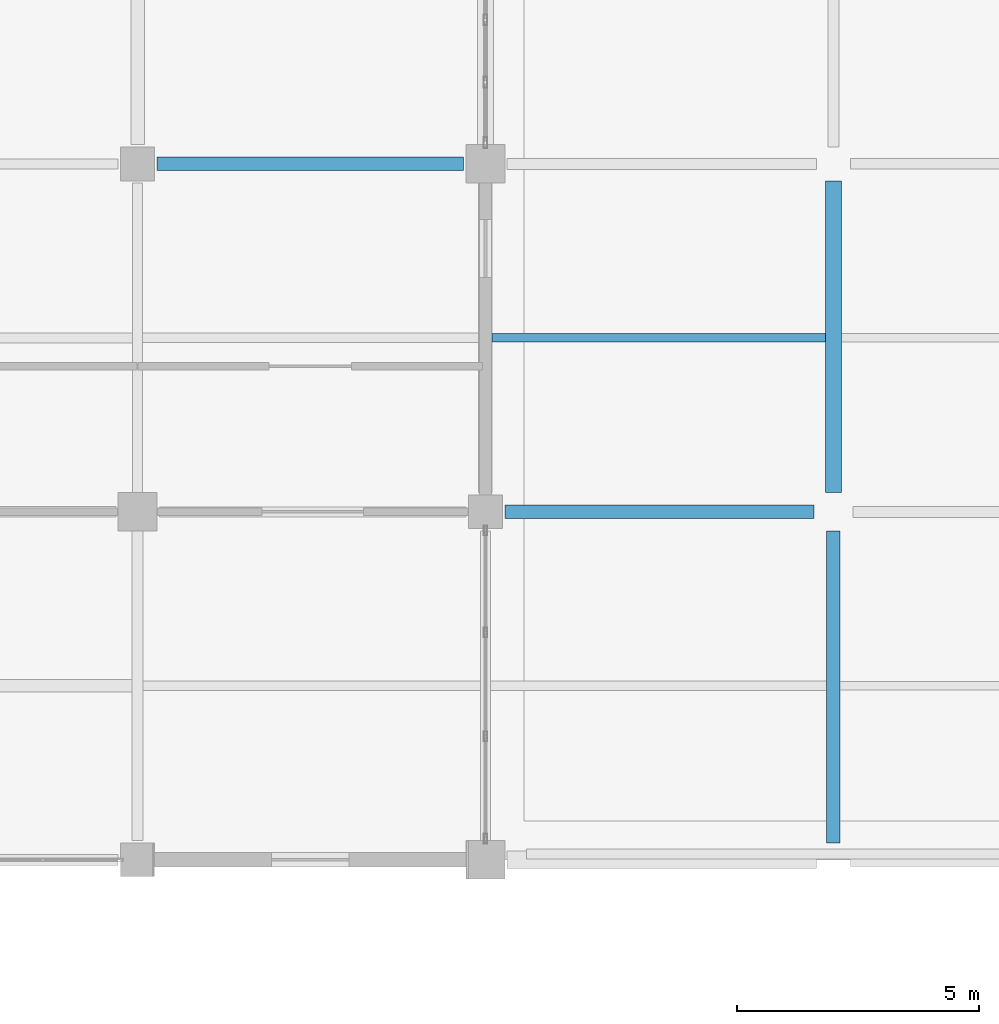
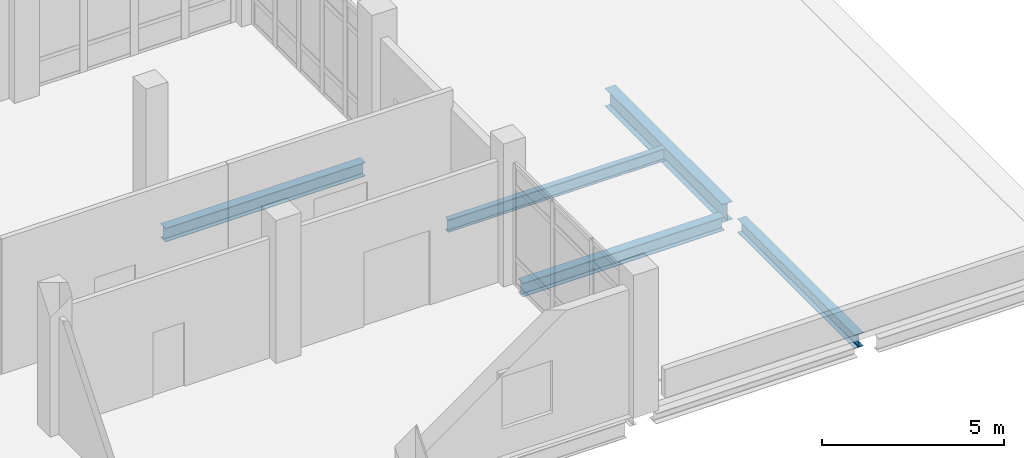
# One storey, part 91 of 153: 5 beams.
"""IFC4 building model written with IfcOpenShell, lengths in metres."""

from ifc_helpers import new_model, si_unit, direction, frame, origin, origin_2d, place, context, subcontext, project, spatial, i_section, extrude, material, material_profile, profile_set, type_object, element, save


model = new_model("IFC4")

# Units and contexts
model_context = context("Model", 3, precision=1e-05, world=origin(), true_north=direction((0.0, 1.0)))
body_context = subcontext(model_context, "Body", "Model", "MODEL_VIEW")
ifc_project = project(units=[si_unit("LENGTHUNIT", "METRE"), si_unit("AREAUNIT", "SQUARE_METRE"), si_unit("VOLUMEUNIT", "CUBIC_METRE"), si_unit("PLANEANGLEUNIT", "RADIAN"), si_unit("MASSUNIT", "GRAM", prefix="KILO")], contexts=[model_context])

# Site, building, storey
site_placement = place(None, origin())
site = spatial("IfcSite", under=ifc_project, at=site_placement, CompositionType="ELEMENT")
building_placement = place(site_placement, origin())
building = spatial("IfcBuilding", under=site, at=building_placement, Name="Calvrana Isthmian Art Gallery", CompositionType="ELEMENT")
storey_placement = place(building_placement, frame((0.0, 0.0, 10.199951171875)))
storey = spatial("IfcBuildingStorey", under=building, at=storey_placement, Name="L02", CompositionType="ELEMENT", Elevation=10.199951171875)

# Beams
ifc_material = material(Name="Steel ASTM A992 Gr 50", Category="steel")
ifc_material_profile_1 = material_profile(ifc_material, i_section(OverallWidth=0.279052734375, OverallDepth=0.4619140625, WebThickness=0.0107421875, FlangeThickness=0.017333984375, FilletRadius=0.02001953125, at=origin_2d()), Name="W18X76")
ifc_profile_set_1 = profile_set([ifc_material_profile_1], Name="Steel ASTM A992 Gr 50")
beam_type_1 = type_object("IfcBeamType", Name="BM-G-W18X76", PredefinedType="BEAM", material=ifc_profile_set_1)
beam_1_placement = place(storey_placement, frame((134.800048828125, 84.0, -0.495849609375), z_axis=(1.0, 0.0, 0.0), x_axis=(0.0, 1.0, 0.0)))
element("IfcBeam", 1, at=beam_1_placement, inside=storey, type_object=beam_type_1, Name="Girder X L02 18-19/L", PredefinedType="BEAM", context=body_context, shape_type="SweptSolid", body=[
    extrude(i_section(OverallWidth=0.279052734375, OverallDepth=0.4619140625, WebThickness=0.0107421875, FlangeThickness=0.017333984375, FilletRadius=0.02001953125, at=origin_2d()), origin(), (0.0, 0.0, 1.0), 6.39990234375),
])
beam_2_placement = place(storey_placement, frame((127.60009765625, 91.199951171875, -0.495849609375), z_axis=(1.0, 0.0, 0.0), x_axis=(0.0, 1.0, 0.0)))
element("IfcBeam", 2, at=beam_2_placement, inside=storey, type_object=beam_type_1, Name="Girder X L02 17-18/M", PredefinedType="BEAM", context=body_context, shape_type="SweptSolid", body=[
    extrude(i_section(OverallWidth=0.279052734375, OverallDepth=0.4619140625, WebThickness=0.0107421875, FlangeThickness=0.017333984375, FilletRadius=0.02001953125, at=origin_2d()), origin(), (0.0, 0.0, 1.0), 6.349853515625),
])
beam_3_placement = place(storey_placement, frame((141.60009765625, 77.14990234375, -0.495849609375), z_axis=(0.0, 1.0, 0.0), x_axis=(-1.0, 0.0, 0.0)))
element("IfcBeam", 3, at=beam_3_placement, inside=storey, type_object=beam_type_1, Name="Girder Y L02 19/K-L", PredefinedType="BEAM", context=body_context, shape_type="SweptSolid", body=[
    extrude(i_section(OverallWidth=0.279052734375, OverallDepth=0.4619140625, WebThickness=0.0107421875, FlangeThickness=0.017333984375, FilletRadius=0.02001953125, at=origin_2d()), origin(), (0.0, 0.0, 1.0), 6.4501953125),
])
ifc_material_profile_2 = material_profile(ifc_material, i_section(OverallWidth=0.324951171875, OverallDepth=0.612060546875, WebThickness=0.0126953125, FlangeThickness=0.01904296875, FilletRadius=0.02197265625, at=origin_2d()), Name="W24X104")
ifc_profile_set_2 = profile_set([ifc_material_profile_2], Name="Steel ASTM A992 Gr 50")
beam_type_2 = type_object("IfcBeamType", Name="BM-G-W24X104", PredefinedType="BEAM", material=ifc_profile_set_2)
beam_4_placement = place(storey_placement, frame((141.60009765625, 84.39990234375, -0.571044921875), z_axis=(0.0, 1.0, 0.0), x_axis=(-1.0, 0.0, 0.0)))
element("IfcBeam", 4, at=beam_4_placement, inside=storey, type_object=beam_type_2, Name="Girder Y L02 19/L-M", PredefinedType="BEAM", context=body_context, shape_type="SweptSolid", body=[
    extrude(i_section(OverallWidth=0.324951171875, OverallDepth=0.612060546875, WebThickness=0.0126953125, FlangeThickness=0.01904296875, FilletRadius=0.02197265625, at=origin_2d()), origin(), (0.0, 0.0, 1.0), 6.4501953125),
])
ifc_material_profile_3 = material_profile(ifc_material, i_section(OverallWidth=0.179931640625, OverallDepth=0.4140625, WebThickness=0.009765625, FlangeThickness=0.01611328125, FilletRadius=0.01806640625, at=origin_2d()), Name="W16X50")
ifc_profile_set_3 = profile_set([ifc_material_profile_3], Name="Steel ASTM A992 Gr 50")
beam_type_3 = type_object("IfcBeamType", Name="BM-J-W16X50", PredefinedType="JOIST", material=ifc_profile_set_3)
beam_5_placement = place(storey_placement, frame((134.53955078125, 87.60009765625, -0.471923828125), z_axis=(1.0, 0.0, 0.0), x_axis=(0.0, 1.0, 0.0)))
element("IfcBeam", 5, at=beam_5_placement, inside=storey, type_object=beam_type_3, Name="Composite joist L02 bay 17-11", PredefinedType="JOIST", context=body_context, shape_type="SweptSolid", body=[
    extrude(i_section(OverallWidth=0.179931640625, OverallDepth=0.4140625, WebThickness=0.009765625, FlangeThickness=0.01611328125, FilletRadius=0.01806640625, at=origin_2d()), origin(), (0.0, 0.0, 1.0), 6.89794921875),
])

save(model, "model.ifc")
